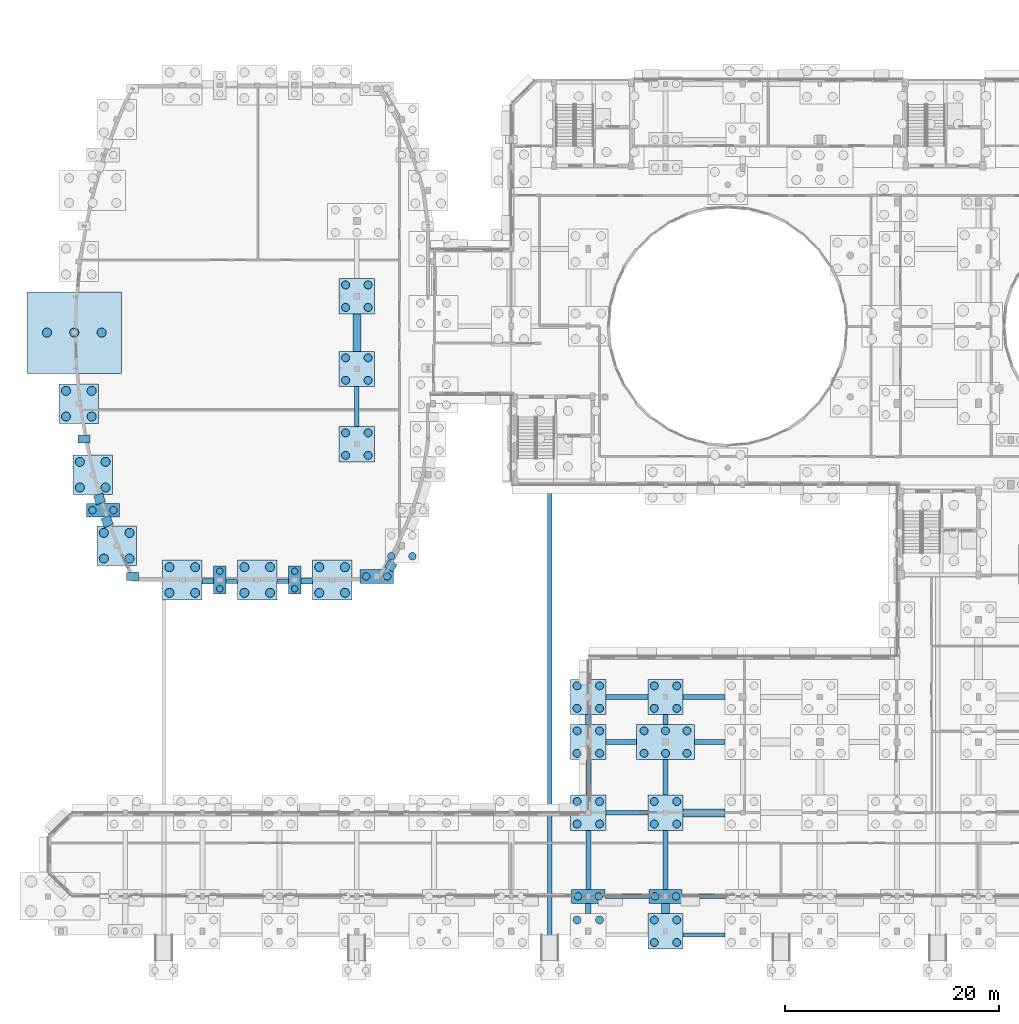
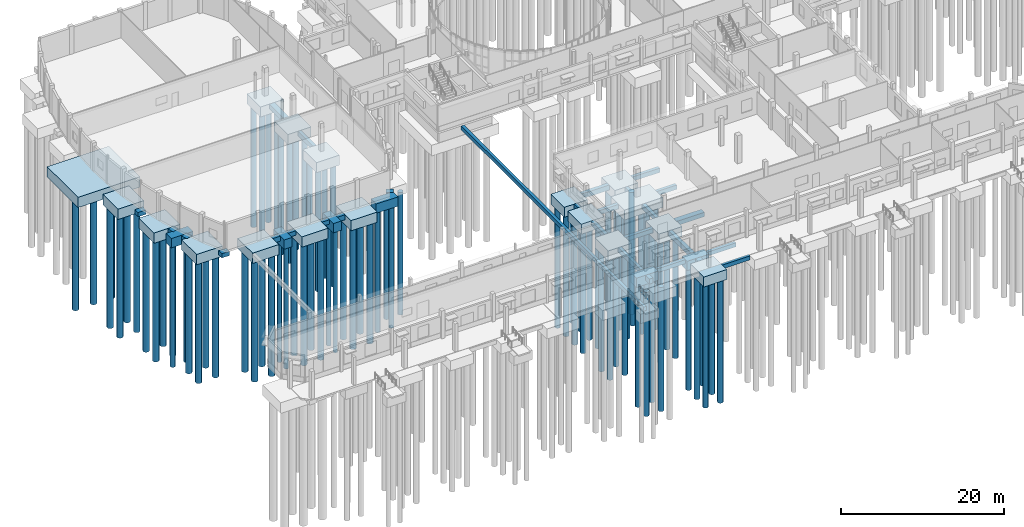
# One storey, part 2 of 93: 85 piles, 52 footings.
"""IFC4 building model written with IfcOpenShell, lengths in metres."""

import ifcopenshell
import ifcopenshell.guid

model = None  # the IFC model being written
_history = None  # IfcOwnerHistory: only IFC2X3 demands one
_inside = {}  # id of a spatial element -> (the spatial element, [elements in it])
_under = {}  # id of a project, library or spatial element -> (it, [spatial elements below it])
_declared = {}  # id of a project -> (the project, [libraries it declares])
_typed = {}  # id of a type object -> (the type object, [elements of that type])
_made_of = {}  # id of a material, layer set ... -> (it, [elements and type objects made of it])


def new_model(schema):
    """Start an empty IFC model of exactly this schema.

    Asked for "IFC4X3", IfcOpenShell would pick the latest addendum, in which some entities
    have other attributes; the version numbers below select the first issue.
    IFC2X3 requires an IfcOwnerHistory on every rooted entity: one is made here for all.
    """
    global model, _history
    if schema == "IFC4X3":
        model = ifcopenshell.file(schema_version=(4, 3, 0, 0))
    else:
        model = ifcopenshell.file(schema=schema)
    _inside.clear()
    _under.clear()
    _declared.clear()
    _typed.clear()
    _made_of.clear()
    _history = None
    if model.schema == "IFC2X3":
        org = make("IfcOrganization", Name="unknown")
        user = make(
            "IfcPersonAndOrganization",
            ThePerson=make("IfcPerson", FamilyName="unknown"),
            TheOrganization=org,
        )
        app = make(
            "IfcApplication",
            ApplicationDeveloper=org,
            Version="unknown",
            ApplicationFullName="unknown",
            ApplicationIdentifier="unknown",
        )
        _history = make(
            "IfcOwnerHistory",
            OwningUser=user,
            OwningApplication=app,
            ChangeAction="ADDED",
            CreationDate=0,
        )
    return model


def make(cls, **values):
    """One entity of the class cls with the attributes given. An attribute that is None is left unset."""
    return model.create_entity(
        cls, **{name: value for name, value in values.items() if value is not None}
    )


def rooted(cls, **values):
    """An entity with a GlobalId (a new one), such as an element, a storey or a relation."""
    return make(cls, GlobalId=ifcopenshell.guid.new(), OwnerHistory=_history, **values)


def si_unit(unit_type, name, prefix=None):
    """IfcSIUnit, for example si_unit("LENGTHUNIT", "METRE", prefix="MILLI")."""
    return make("IfcSIUnit", UnitType=unit_type, Prefix=prefix, Name=name)


def assignment(units):
    """IfcUnitAssignment: the units of a project."""
    return None if units is None else make("IfcUnitAssignment", Units=units)


def point(xyz):
    """IfcCartesianPoint."""
    return None if xyz is None else make("IfcCartesianPoint", Coordinates=xyz)


def direction(xyz):
    """IfcDirection."""
    return None if xyz is None else make("IfcDirection", DirectionRatios=xyz)


def frame(location, z_axis=None, x_axis=None):
    """IfcAxis2Placement3D, a coordinate frame: its origin and axes. An axis left out is left unset."""
    return make(
        "IfcAxis2Placement3D",
        Location=point(location),
        Axis=direction(z_axis),
        RefDirection=direction(x_axis),
    )


def frame_2d(location, x_axis=None):
    """IfcAxis2Placement2D, a coordinate frame in the plane: its origin and x axis."""
    return make(
        "IfcAxis2Placement2D", Location=point(location), RefDirection=direction(x_axis)
    )


def origin():
    """The frame at (0, 0, 0) with its axes left unset."""
    return frame((0.0, 0.0, 0.0))


def origin_2d():
    """The frame at (0, 0) in the plane with its x axis left unset."""
    return frame_2d((0.0, 0.0))


def place(relative_to, where):
    """IfcLocalPlacement: puts the frame where relative to a parent placement (None: the world)."""
    return make(
        "IfcLocalPlacement", PlacementRelTo=relative_to, RelativePlacement=where
    )


def context(
    kind, dimensions, precision=None, world=None, true_north=None, identifier=None
):
    """IfcGeometricRepresentationContext, for example the 3D "Model" context."""
    return make(
        "IfcGeometricRepresentationContext",
        ContextIdentifier=identifier,
        ContextType=kind,
        CoordinateSpaceDimension=dimensions,
        Precision=precision,
        WorldCoordinateSystem=world,
        TrueNorth=true_north,
    )


def subcontext(parent, identifier, kind, view, scale=None):
    """IfcGeometricRepresentationSubContext, for example "Body" below "Model"."""
    return make(
        "IfcGeometricRepresentationSubContext",
        ContextIdentifier=identifier,
        ContextType=kind,
        ParentContext=parent,
        TargetScale=scale,
        TargetView=view,
    )


def project(units=None, contexts=None):
    """IfcProject with its units and contexts."""
    return rooted(
        "IfcProject",
        Name="project",
        RepresentationContexts=contexts,
        UnitsInContext=assignment(units),
    )


def spatial(cls, under=None, at=None, **own):
    """A site, building, storey or space (cls), placed at a placement, below another one or the project."""
    s = rooted(cls, ObjectPlacement=at, **own)
    if under is not None:
        _under.setdefault(under.id(), (under, []))[1].append(s)
    return s


def profile(cls, at=None, kind="AREA", **sizes):
    """A parametric profile (cls). Its sizes go by their IFC names, for example OverallWidth=200.0."""
    return make(cls, ProfileType=kind, Position=at, **sizes)


def rectangle(**sizes):
    """IfcRectangleProfileDef."""
    return profile("IfcRectangleProfileDef", **sizes)


def circle(**sizes):
    """IfcCircleProfileDef."""
    return profile("IfcCircleProfileDef", **sizes)


def extrude(swept, where, along, depth):
    """IfcExtrudedAreaSolid: the profile swept, set in the frame where, extruded along a direction by depth."""
    return make(
        "IfcExtrudedAreaSolid",
        SweptArea=swept,
        Position=where,
        ExtrudedDirection=direction(along),
        Depth=depth,
    )


def shape(context_of_items, identifier, shape_type, items):
    """IfcShapeRepresentation: the items that make up one representation, for example the "Body"."""
    return make(
        "IfcShapeRepresentation",
        ContextOfItems=context_of_items,
        RepresentationIdentifier=identifier,
        RepresentationType=shape_type,
        Items=items,
    )


def material(Name=None, Category=None):
    """IfcMaterial."""
    return make("IfcMaterial", Name=Name, Category=Category)


def material_profile(
    of_material, cross_section, Name=None, Category=None, Priority=None
):
    """IfcMaterialProfile: a cross section and its material."""
    return make(
        "IfcMaterialProfile",
        Name=Name,
        Material=of_material,
        Profile=cross_section,
        Priority=Priority,
        Category=Category,
    )


def profile_set(profiles, Name=None, composite=None):
    """IfcMaterialProfileSet."""
    return make(
        "IfcMaterialProfileSet",
        Name=Name,
        MaterialProfiles=profiles,
        CompositeProfile=composite,
    )


def made_of(thing, what):
    """Note that an element or type object is made of a material, layer set ...; save() writes the relation."""
    if what is not None:
        _made_of.setdefault(what.id(), (what, []))[1].append(thing)
    return thing


def type_object(cls, material=None, **own):
    """A type object (cls), such as IfcWallType, which elements share."""
    return made_of(rooted(cls, **own), material)


def element(
    cls,
    number,
    at=None,
    inside=None,
    cuts=None,
    type_object=None,
    material=None,
    context=None,
    identifier="Body",
    shape_type=None,
    held_by="IfcProductDefinitionShape",
    body=None,
    shapes=None,
    **own,
):
    """One element of the class cls, such as IfcWall. Its Tag is "e" and its number.

    at: its placement. inside: the storey or other place that contains it. cuts: it is an
    opening in that element (IfcRelVoidsElement). A single representation is given by context,
    identifier, shape_type and body (its items); several are given by shapes. held_by: the class
    of the entity that holds the representations. save() writes the other relations.
    """
    e = rooted(cls, Tag="e%d" % number, ObjectPlacement=at, **own)
    if body is not None:
        shapes = [shape(context, identifier, shape_type, body)]
    if shapes is not None:
        e.Representation = make(held_by, Representations=shapes)
    if inside is not None:
        _inside.setdefault(inside.id(), (inside, []))[1].append(e)
    if cuts is not None:
        rooted(
            "IfcRelVoidsElement", RelatingBuildingElement=cuts, RelatedOpeningElement=e
        )
    if type_object is not None:
        _typed.setdefault(type_object.id(), (type_object, []))[1].append(e)
    return made_of(e, material)


def aggregate(whole, parts):
    """IfcRelAggregates: a whole, such as a stair, and the parts it consists of."""
    return rooted("IfcRelAggregates", RelatingObject=whole, RelatedObjects=parts)


def save(model, path):
    """Write the relations noted so far, then the file.

    IfcRelAggregates (storeys below a building ...), IfcRelContainedInSpatialStructure (elements
    in a storey), IfcRelDefinesByType, IfcRelAssociatesMaterial and IfcRelDeclares: one each for
    every whole, place, type object, material and project.
    """
    for whole, parts in _under.values():
        aggregate(whole, parts)
    for where, things in _inside.values():
        rooted(
            "IfcRelContainedInSpatialStructure",
            RelatedElements=things,
            RelatingStructure=where,
        )
    for kind, things in _typed.values():
        rooted("IfcRelDefinesByType", RelatedObjects=things, RelatingType=kind)
    for what, things in _made_of.values():
        rooted("IfcRelAssociatesMaterial", RelatedObjects=things, RelatingMaterial=what)
    for by, libraries in _declared.values():
        rooted("IfcRelDeclares", RelatingContext=by, RelatedDefinitions=libraries)
    model.write(path)


model = new_model("IFC4")

# Units and contexts
model_context = context("Model", 3, precision=1e-05, world=origin(), true_north=direction((0.0, 1.0)))
body_context = subcontext(model_context, "Body", "Model", "MODEL_VIEW")
ifc_project = project(units=[si_unit("LENGTHUNIT", "METRE"), si_unit("AREAUNIT", "SQUARE_METRE"), si_unit("VOLUMEUNIT", "CUBIC_METRE"), si_unit("PLANEANGLEUNIT", "RADIAN"), si_unit("MASSUNIT", "GRAM", prefix="KILO")], contexts=[model_context])

# Site, building, storey
site_placement = place(None, origin())
site = spatial("IfcSite", under=ifc_project, at=site_placement, CompositionType="ELEMENT")
building_placement = place(site_placement, origin())
building = spatial("IfcBuilding", under=site, at=building_placement, Name="Kelanivale Promenade Academy", CompositionType="ELEMENT")
storey_placement = place(building_placement, origin())
storey = spatial("IfcBuildingStorey", under=building, at=storey_placement, Name="L00", CompositionType="ELEMENT", Elevation=0.0)

# Piles
ifc_material = material(Name="Concrete C35/45", Category="concrete")
ifc_material_profile_1 = material_profile(ifc_material, circle(Radius=0.300048828125, at=origin_2d()), Name="BORED PILE D600")
ifc_profile_set_1 = profile_set([ifc_material_profile_1], Name="Concrete C35/45")
pile_type_1 = type_object("IfcPileType", Name="BP-1 BORED PILE D600", PredefinedType="BORED", material=ifc_profile_set_1)
for number, where, z_axis, x_axis, name in (
    (1, (16.012939453125, 32.300048828125, -1.550048828125), (0.0, 0.0, -1.0), (1.0, 0.0, 0.0), "Bored pile FC-019-BP1-P01"),
    (2, (16.012939453125, 33.93994140625, -1.550048828125), (0.0, 0.0, -1.0), (1.0, 0.0, 0.0), "Bored pile FC-019-BP1-P02"),
    (3, (22.9990234375, 32.300048828125, -1.550048828125), (0.0, 0.0, -1.0), (1.0, 0.0, 0.0), "Bored pile FC-026-BP1-P01"),
    (4, (22.9990234375, 33.93994140625, -1.550048828125), (0.0, 0.0, -1.0), (1.0, 0.0, 0.0), "Bored pile FC-026-BP1-P02"),
):
    element("IfcPile", number, at=place(storey_placement, frame(where, z_axis=z_axis, x_axis=x_axis)), inside=storey, type_object=pile_type_1, Name=name, PredefinedType="BORED", context=body_context, shape_type="SweptSolid", body=[
        extrude(circle(Radius=0.300048828125, at=origin_2d()), origin(), (0.0, 0.0, 1.0), 18.449951171875),
    ])
ifc_material_profile_2 = material_profile(ifc_material, circle(Radius=0.35009765625, at=origin_2d()), Name="BORED PILE D700")
ifc_profile_set_2 = profile_set([ifc_material_profile_2], Name="Concrete C35/45")
pile_type_2 = type_object("IfcPileType", Name="BP-2 BORED PILE D700", PredefinedType="BORED", material=ifc_profile_set_2)
for number, where, z_axis, x_axis, name in (
    (5, (4.131103515625, 39.62890625, -1.550048828125), (0.0, 0.0, -1.0), (1.0, 0.0, 0.0), "Bored pile FC-007-BP2-P01"),
    (6, (6.091064453125, 39.62890625, -1.550048828125), (0.0, 0.0, -1.0), (1.0, 0.0, 0.0), "Bored pile FC-007-BP2-P02"),
    (7, (29.669921875, 33.449951171875, -1.550048828125), (0.0, 0.0, -1.0), (1.0, 0.0, 0.0), "Bored pile FC-037-BP2-P01"),
    (8, (31.6298828125, 33.449951171875, -1.550048828125), (0.0, 0.0, -1.0), (1.0, 0.0, 0.0), "Bored pile FC-037-BP2-P02"),
):
    element("IfcPile", number, at=place(storey_placement, frame(where, z_axis=z_axis, x_axis=x_axis)), inside=storey, type_object=pile_type_2, Name=name, PredefinedType="BORED", context=body_context, shape_type="SweptSolid", body=[
        extrude(circle(Radius=0.35009765625, at=origin_2d()), origin(), (0.0, 0.0, 1.0), 18.449951171875),
    ])
for number, where, z_axis, x_axis, name in (
    (9, (32.030029296875, 35.333984375, -1.60009765625), (0.0, 0.0, -1.0), (1.0, 0.0, 0.0), "Bored pile FC-039-BP2-P01"),
    (10, (33.989990234375, 35.333984375, -1.60009765625), (0.0, 0.0, -1.0), (1.0, 0.0, 0.0), "Bored pile FC-039-BP2-P03"),
):
    element("IfcPile", number, at=place(storey_placement, frame(where, z_axis=z_axis, x_axis=x_axis)), inside=storey, type_object=pile_type_2, Name=name, PredefinedType="BORED", context=body_context, shape_type="SweptSolid", body=[
        extrude(circle(Radius=0.35009765625, at=origin_2d()), origin(), (0.0, 0.0, 1.0), 18.39990234375),
    ])
for number, where, z_axis, x_axis, name in (
    (11, (49.419921875, 3.60009765625, -1.5), (0.0, 0.0, -1.0), (1.0, 0.0, 0.0), "Bored pile FC-054-BP2-P01"),
    (12, (51.3798828125, 3.60009765625, -1.5), (0.0, 0.0, -1.0), (1.0, 0.0, 0.0), "Bored pile FC-054-BP2-P02"),
    (13, (56.6201171875, 3.60009765625, -1.5), (0.0, 0.0, -1.0), (1.0, 0.0, 0.0), "Bored pile FC-061-BP2-P01"),
    (14, (58.580078125, 3.60009765625, -1.5), (0.0, 0.0, -1.0), (1.0, 0.0, 0.0), "Bored pile FC-061-BP2-P02"),
):
    element("IfcPile", number, at=place(storey_placement, frame(where, z_axis=z_axis, x_axis=x_axis)), inside=storey, type_object=pile_type_2, Name=name, PredefinedType="BORED", context=body_context, shape_type="SweptSolid", body=[
        extrude(circle(Radius=0.35009765625, at=origin_2d()), origin(), (0.0, 0.0, 1.0), 18.5),
    ])
ifc_material_profile_3 = material_profile(ifc_material, circle(Radius=0.375, at=origin_2d()), Name="BORED PILE D750")
ifc_profile_set_3 = profile_set([ifc_material_profile_3], Name="Concrete C35/45")
pile_type_3 = type_object("IfcPileType", Name="BP-3 BORED PILE D750", PredefinedType="BORED", material=ifc_profile_set_3)
for number, where, z_axis, x_axis, name in (
    (15, (27.75, 44.75, -1.64990234375), (0.0, 0.0, -1.0), (1.0, 0.0, 0.0), "Bored pile FC-033-BP3-P01"),
    (16, (27.75, 46.85009765625, -1.64990234375), (0.0, 0.0, -1.0), (1.0, 0.0, 0.0), "Bored pile FC-033-BP3-P02"),
    (17, (29.85009765625, 44.75, -1.64990234375), (0.0, 0.0, -1.0), (1.0, 0.0, 0.0), "Bored pile FC-033-BP3-P03"),
    (18, (29.85009765625, 46.85009765625, -1.64990234375), (0.0, 0.0, -1.0), (1.0, 0.0, 0.0), "Bored pile FC-033-BP3-P04"),
    (19, (27.75, 51.75, -1.64990234375), (0.0, 0.0, -1.0), (1.0, 0.0, 0.0), "Bored pile FC-034-BP3-P01"),
    (20, (27.75, 53.85009765625, -1.64990234375), (0.0, 0.0, -1.0), (1.0, 0.0, 0.0), "Bored pile FC-034-BP3-P02"),
    (21, (29.85009765625, 51.75, -1.64990234375), (0.0, 0.0, -1.0), (1.0, 0.0, 0.0), "Bored pile FC-034-BP3-P03"),
    (22, (29.85009765625, 53.85009765625, -1.64990234375), (0.0, 0.0, -1.0), (1.0, 0.0, 0.0), "Bored pile FC-034-BP3-P04"),
    (23, (27.75, 58.550048828125, -1.64990234375), (0.0, 0.0, -1.0), (1.0, 0.0, 0.0), "Bored pile FC-035-BP3-P01"),
    (24, (27.75, 60.64990234375, -1.64990234375), (0.0, 0.0, -1.0), (1.0, 0.0, 0.0), "Bored pile FC-035-BP3-P02"),
    (25, (29.85009765625, 58.550048828125, -1.64990234375), (0.0, 0.0, -1.0), (1.0, 0.0, 0.0), "Bored pile FC-035-BP3-P03"),
    (26, (29.85009765625, 60.64990234375, -1.64990234375), (0.0, 0.0, -1.0), (1.0, 0.0, 0.0), "Bored pile FC-035-BP3-P04"),
):
    element("IfcPile", number, at=place(storey_placement, frame(where, z_axis=z_axis, x_axis=x_axis)), inside=storey, type_object=pile_type_3, Name=name, PredefinedType="BORED", context=body_context, shape_type="SweptSolid", body=[
        extrude(circle(Radius=0.375, at=origin_2d()), origin(), (0.0, 0.0, 1.0), 18.35009765625),
    ])
for number, where, z_axis, x_axis, name in (
    (27, (49.35009765625, 1.39990234375, -1.35009765625), (0.0, 0.0, -1.0), (1.0, 0.0, 0.0), "Bored pile FC-053-BP3-P02"),
    (28, (51.449951171875, 1.39990234375, -1.35009765625), (0.0, 0.0, -1.0), (1.0, 0.0, 0.0), "Bored pile FC-053-BP3-P04"),
):
    element("IfcPile", number, at=place(storey_placement, frame(where, z_axis=z_axis, x_axis=x_axis)), inside=storey, type_object=pile_type_3, Name=name, PredefinedType="BORED", context=body_context, shape_type="SweptSolid", body=[
        extrude(circle(Radius=0.375, at=origin_2d()), origin(), (0.0, 0.0, 1.0), 18.64990234375),
    ])
for number, where, z_axis, x_axis, name in (
    (29, (49.35009765625, 10.35009765625, -1.60009765625), (0.0, 0.0, -1.0), (1.0, 0.0, 0.0), "Bored pile FC-055-BP3-P01"),
    (30, (49.35009765625, 12.449951171875, -1.60009765625), (0.0, 0.0, -1.0), (1.0, 0.0, 0.0), "Bored pile FC-055-BP3-P02"),
    (31, (51.449951171875, 10.35009765625, -1.60009765625), (0.0, 0.0, -1.0), (1.0, 0.0, 0.0), "Bored pile FC-055-BP3-P03"),
    (32, (51.449951171875, 12.449951171875, -1.60009765625), (0.0, 0.0, -1.0), (1.0, 0.0, 0.0), "Bored pile FC-055-BP3-P04"),
    (33, (49.35009765625, 16.949951171875, -1.60009765625), (0.0, 0.0, -1.0), (1.0, 0.0, 0.0), "Bored pile FC-056-BP3-P01"),
    (34, (49.35009765625, 19.050048828125, -1.60009765625), (0.0, 0.0, -1.0), (1.0, 0.0, 0.0), "Bored pile FC-056-BP3-P02"),
    (35, (51.449951171875, 16.949951171875, -1.60009765625), (0.0, 0.0, -1.0), (1.0, 0.0, 0.0), "Bored pile FC-056-BP3-P03"),
    (36, (51.449951171875, 19.050048828125, -1.60009765625), (0.0, 0.0, -1.0), (1.0, 0.0, 0.0), "Bored pile FC-056-BP3-P04"),
    (37, (49.35009765625, 21.14990234375, -1.60009765625), (0.0, 0.0, -1.0), (1.0, 0.0, 0.0), "Bored pile FC-057-BP3-P01"),
    (38, (49.35009765625, 23.25, -1.60009765625), (0.0, 0.0, -1.0), (1.0, 0.0, 0.0), "Bored pile FC-057-BP3-P02"),
    (39, (51.449951171875, 21.14990234375, -1.60009765625), (0.0, 0.0, -1.0), (1.0, 0.0, 0.0), "Bored pile FC-057-BP3-P03"),
    (40, (51.449951171875, 23.25, -1.60009765625), (0.0, 0.0, -1.0), (1.0, 0.0, 0.0), "Bored pile FC-057-BP3-P04"),
):
    element("IfcPile", number, at=place(storey_placement, frame(where, z_axis=z_axis, x_axis=x_axis)), inside=storey, type_object=pile_type_3, Name=name, PredefinedType="BORED", context=body_context, shape_type="SweptSolid", body=[
        extrude(circle(Radius=0.375, at=origin_2d()), origin(), (0.0, 0.0, 1.0), 18.39990234375),
    ])
for number, where, z_axis, x_axis, name in (
    (41, (56.550048828125, -0.699951171875, -1.35009765625), (0.0, 0.0, -1.0), (1.0, 0.0, 0.0), "Bored pile FC-060-BP3-P01"),
    (42, (56.550048828125, 1.39990234375, -1.35009765625), (0.0, 0.0, -1.0), (1.0, 0.0, 0.0), "Bored pile FC-060-BP3-P02"),
    (43, (58.64990234375, -0.699951171875, -1.35009765625), (0.0, 0.0, -1.0), (1.0, 0.0, 0.0), "Bored pile FC-060-BP3-P03"),
    (44, (58.64990234375, 1.39990234375, -1.35009765625), (0.0, 0.0, -1.0), (1.0, 0.0, 0.0), "Bored pile FC-060-BP3-P04"),
):
    element("IfcPile", number, at=place(storey_placement, frame(where, z_axis=z_axis, x_axis=x_axis)), inside=storey, type_object=pile_type_3, Name=name, PredefinedType="BORED", context=body_context, shape_type="SweptSolid", body=[
        extrude(circle(Radius=0.375, at=origin_2d()), origin(), (0.0, 0.0, 1.0), 18.64990234375),
    ])
for number, where, z_axis, x_axis, name in (
    (45, (56.550048828125, 10.35009765625, -1.60009765625), (0.0, 0.0, -1.0), (1.0, 0.0, 0.0), "Bored pile FC-062-BP3-P01"),
    (46, (56.550048828125, 12.449951171875, -1.60009765625), (0.0, 0.0, -1.0), (1.0, 0.0, 0.0), "Bored pile FC-062-BP3-P02"),
    (47, (58.64990234375, 10.35009765625, -1.60009765625), (0.0, 0.0, -1.0), (1.0, 0.0, 0.0), "Bored pile FC-062-BP3-P03"),
    (48, (58.64990234375, 12.449951171875, -1.60009765625), (0.0, 0.0, -1.0), (1.0, 0.0, 0.0), "Bored pile FC-062-BP3-P04"),
    (49, (55.60009765625, 16.949951171875, -1.60009765625), (0.0, 0.0, -1.0), (1.0, 0.0, 0.0), "Bored pile FC-063-BP3-P01"),
    (50, (57.60009765625, 16.949951171875, -1.60009765625), (0.0, 0.0, -1.0), (1.0, 0.0, 0.0), "Bored pile FC-063-BP3-P02"),
    (51, (59.60009765625, 16.949951171875, -1.60009765625), (0.0, 0.0, -1.0), (1.0, 0.0, 0.0), "Bored pile FC-063-BP3-P03"),
    (52, (55.60009765625, 19.050048828125, -1.60009765625), (0.0, 0.0, -1.0), (1.0, 0.0, 0.0), "Bored pile FC-063-BP3-P04"),
    (53, (57.60009765625, 19.050048828125, -1.60009765625), (0.0, 0.0, -1.0), (1.0, 0.0, 0.0), "Bored pile FC-063-BP3-P05"),
    (54, (59.60009765625, 19.050048828125, -1.60009765625), (0.0, 0.0, -1.0), (1.0, 0.0, 0.0), "Bored pile FC-063-BP3-P06"),
    (55, (56.550048828125, 21.14990234375, -1.60009765625), (0.0, 0.0, -1.0), (1.0, 0.0, 0.0), "Bored pile FC-064-BP3-P01"),
    (56, (56.550048828125, 23.25, -1.60009765625), (0.0, 0.0, -1.0), (1.0, 0.0, 0.0), "Bored pile FC-064-BP3-P02"),
    (57, (58.64990234375, 21.14990234375, -1.60009765625), (0.0, 0.0, -1.0), (1.0, 0.0, 0.0), "Bored pile FC-064-BP3-P03"),
    (58, (58.64990234375, 23.25, -1.60009765625), (0.0, 0.0, -1.0), (1.0, 0.0, 0.0), "Bored pile FC-064-BP3-P04"),
):
    element("IfcPile", number, at=place(storey_placement, frame(where, z_axis=z_axis, x_axis=x_axis)), inside=storey, type_object=pile_type_3, Name=name, PredefinedType="BORED", context=body_context, shape_type="SweptSolid", body=[
        extrude(circle(Radius=0.375, at=origin_2d()), origin(), (0.0, 0.0, 1.0), 18.39990234375),
    ])
ifc_material_profile_4 = material_profile(ifc_material, circle(Radius=0.425048828125, at=origin_2d()), Name="BORED PILE D850")
ifc_profile_set_4 = profile_set([ifc_material_profile_4], Name="Concrete C35/45")
pile_type_4 = type_object("IfcPileType", Name="BP-4 BORED PILE D850", PredefinedType="BORED", material=ifc_profile_set_4)
for number, where, z_axis, x_axis, name in (
    (59, (-0.110107421875, 56.199951171875, -1.699951171875), (0.0, 0.0, -1.0), (1.0, 0.0, 0.0), "Bored pile FC-002-BP4-P01"),
    (60, (2.43994140625, 56.199951171875, -1.699951171875), (0.0, 0.0, -1.0), (1.0, 0.0, 0.0), "Bored pile FC-002-BP4-P02"),
    (61, (4.989990234375, 56.199951171875, -1.699951171875), (0.0, 0.0, -1.0), (1.0, 0.0, 0.0), "Bored pile FC-002-BP4-P03"),
    (62, (1.6640625, 48.37109375, -1.699951171875), (0.0, 0.0, -1.0), (1.0, 0.0, 0.0), "Bored pile FC-003-BP4-P01"),
    (63, (1.6640625, 50.77099609375, -1.699951171875), (0.0, 0.0, -1.0), (1.0, 0.0, 0.0), "Bored pile FC-003-BP4-P02"),
    (64, (4.06396484375, 48.37109375, -1.699951171875), (0.0, 0.0, -1.0), (1.0, 0.0, 0.0), "Bored pile FC-003-BP4-P03"),
    (65, (4.06396484375, 50.77099609375, -1.699951171875), (0.0, 0.0, -1.0), (1.0, 0.0, 0.0), "Bored pile FC-003-BP4-P04"),
    (66, (2.9580078125, 41.742919921875, -1.699951171875), (0.0, 0.0, -1.0), (1.0, 0.0, 0.0), "Bored pile FC-005-BP4-P01"),
    (67, (2.9580078125, 44.14306640625, -1.699951171875), (0.0, 0.0, -1.0), (1.0, 0.0, 0.0), "Bored pile FC-005-BP4-P02"),
    (68, (5.35791015625, 41.742919921875, -1.699951171875), (0.0, 0.0, -1.0), (1.0, 0.0, 0.0), "Bored pile FC-005-BP4-P03"),
    (69, (5.35791015625, 44.14306640625, -1.699951171875), (0.0, 0.0, -1.0), (1.0, 0.0, 0.0), "Bored pile FC-005-BP4-P04"),
    (70, (5.193115234375, 35.114013671875, -1.699951171875), (0.0, 0.0, -1.0), (1.0, 0.0, 0.0), "Bored pile FC-009-BP4-P01"),
    (71, (5.193115234375, 37.513916015625, -1.699951171875), (0.0, 0.0, -1.0), (1.0, 0.0, 0.0), "Bored pile FC-009-BP4-P02"),
    (72, (7.593017578125, 35.114013671875, -1.699951171875), (0.0, 0.0, -1.0), (1.0, 0.0, 0.0), "Bored pile FC-009-BP4-P03"),
    (73, (7.593017578125, 37.513916015625, -1.699951171875), (0.0, 0.0, -1.0), (1.0, 0.0, 0.0), "Bored pile FC-009-BP4-P04"),
    (74, (11.320068359375, 31.919921875, -1.699951171875), (0.0, 0.0, -1.0), (1.0, 0.0, 0.0), "Bored pile FC-014-BP4-P01"),
    (75, (11.320068359375, 34.320068359375, -1.699951171875), (0.0, 0.0, -1.0), (1.0, 0.0, 0.0), "Bored pile FC-014-BP4-P02"),
    (76, (13.719970703125, 31.919921875, -1.699951171875), (0.0, 0.0, -1.0), (1.0, 0.0, 0.0), "Bored pile FC-014-BP4-P03"),
    (77, (13.719970703125, 34.320068359375, -1.699951171875), (0.0, 0.0, -1.0), (1.0, 0.0, 0.0), "Bored pile FC-014-BP4-P04"),
    (78, (18.305908203125, 31.919921875, -1.699951171875), (0.0, 0.0, -1.0), (1.0, 0.0, 0.0), "Bored pile FC-021-BP4-P01"),
    (79, (18.305908203125, 34.320068359375, -1.699951171875), (0.0, 0.0, -1.0), (1.0, 0.0, 0.0), "Bored pile FC-021-BP4-P02"),
    (80, (20.7060546875, 31.919921875, -1.699951171875), (0.0, 0.0, -1.0), (1.0, 0.0, 0.0), "Bored pile FC-021-BP4-P03"),
    (81, (20.7060546875, 34.320068359375, -1.699951171875), (0.0, 0.0, -1.0), (1.0, 0.0, 0.0), "Bored pile FC-021-BP4-P04"),
    (82, (25.2919921875, 31.919921875, -1.699951171875), (0.0, 0.0, -1.0), (1.0, 0.0, 0.0), "Bored pile FC-028-BP4-P01"),
    (83, (25.2919921875, 34.320068359375, -1.699951171875), (0.0, 0.0, -1.0), (1.0, 0.0, 0.0), "Bored pile FC-028-BP4-P02"),
    (84, (27.69189453125, 31.919921875, -1.699951171875), (0.0, 0.0, -1.0), (1.0, 0.0, 0.0), "Bored pile FC-028-BP4-P03"),
    (85, (27.69189453125, 34.320068359375, -1.699951171875), (0.0, 0.0, -1.0), (1.0, 0.0, 0.0), "Bored pile FC-028-BP4-P04"),
):
    element("IfcPile", number, at=place(storey_placement, frame(where, z_axis=z_axis, x_axis=x_axis)), inside=storey, type_object=pile_type_4, Name=name, PredefinedType="BORED", context=body_context, shape_type="SweptSolid", body=[
        extrude(circle(Radius=0.425048828125, at=origin_2d()), origin(), (0.0, 0.0, 1.0), 18.300048828125),
    ])

# Footings
footing_type_1 = type_object("IfcFootingType", Name="GB-01 450x650", PredefinedType="FOOTING_BEAM", material=ifc_material)
footing_1_placement = place(storey_placement, frame((54.0, 11.39990234375, -0.89990234375), z_axis=(0.0, 0.0, 1.0), x_axis=(1.0, 0.0, 0.0)))
element("IfcFooting", 86, at=footing_1_placement, inside=storey, type_object=footing_type_1, Name="Ground beam GB-055", PredefinedType="FOOTING_BEAM", context=body_context, shape_type="SweptSolid", body=[
    extrude(rectangle(XDim=3.909912109375, YDim=0.449951171875, at=origin_2d()), origin(), (0.0, 0.0, 1.0), 0.64990234375),
])
for number, where, z_axis, x_axis, name in (
    (87, (53.4619140625, 18.0, -0.89990234375), (0.0, 0.0, 1.0), (1.0, 0.0, 0.0), "Ground beam GB-061"),
    (88, (61.737060546875, 18.0, -0.89990234375), (0.0, 0.0, 1.0), (1.0, 0.0, 0.0), "Ground beam GB-062"),
):
    element("IfcFooting", number, at=place(storey_placement, frame(where, z_axis=z_axis, x_axis=x_axis)), inside=storey, type_object=footing_type_1, Name=name, PredefinedType="FOOTING_BEAM", context=body_context, shape_type="SweptSolid", body=[
        extrude(rectangle(XDim=2.8349609375, YDim=0.449951171875, at=origin_2d()), origin(), (0.0, 0.0, 1.0), 0.64990234375),
    ])
footing_2_placement = place(storey_placement, frame((61.199951171875, 22.199951171875, -0.89990234375), z_axis=(0.0, 0.0, 1.0), x_axis=(1.0, 0.0, 0.0)))
element("IfcFooting", 89, at=footing_2_placement, inside=storey, type_object=footing_type_1, Name="Ground beam GB-067", PredefinedType="FOOTING_BEAM", context=body_context, shape_type="SweptSolid", body=[
    extrude(rectangle(XDim=3.909912109375, YDim=0.449951171875, at=origin_2d()), origin(), (0.0, 0.0, 1.0), 0.64990234375),
])
for number, where, z_axis, x_axis, name in (
    (90, (17.1220703125, 33.0, -0.949951171875), (0.0, 0.0, 1.0), (1.0, 0.0, 0.0), "Ground beam GB-073"),
    (91, (21.889892578125, 33.0, -0.949951171875), (0.0, 0.0, 1.0), (1.0, 0.0, 0.0), "Ground beam GB-074"),
):
    element("IfcFooting", number, at=place(storey_placement, frame(where, z_axis=z_axis, x_axis=x_axis)), inside=storey, type_object=footing_type_1, Name=name, PredefinedType="FOOTING_BEAM", context=body_context, shape_type="SweptSolid", body=[
        extrude(rectangle(XDim=1.077880859375, YDim=0.449951171875, at=origin_2d()), origin(), (0.0, 0.0, 1.0), 0.64990234375),
    ])
footing_3_placement = place(storey_placement, frame((28.800048828125, 49.300048828125, -0.949951171875), z_axis=(0.0, 0.0, 1.0), x_axis=(0.0, 1.0, 0.0)))
element("IfcFooting", 92, at=footing_3_placement, inside=storey, type_object=footing_type_1, Name="Ground beam GB-125", PredefinedType="FOOTING_BEAM", context=body_context, shape_type="SweptSolid", body=[
    extrude(rectangle(XDim=3.7099609375, YDim=0.449951171875, at=origin_2d()), origin(), (0.0, 0.0, 1.0), 0.64990234375),
])
footing_4_placement = place(storey_placement, frame((50.39990234375, 7.0, -0.89990234375), z_axis=(0.0, 0.0, 1.0), x_axis=(0.0, 1.0, 0.0)))
element("IfcFooting", 93, at=footing_4_placement, inside=storey, type_object=footing_type_1, Name="Ground beam GB-136", PredefinedType="FOOTING_BEAM", context=body_context, shape_type="SweptSolid", body=[
    extrude(rectangle(XDim=5.510009765625, YDim=0.449951171875, at=origin_2d()), origin(), (0.0, 0.0, 1.0), 0.64990234375),
])
for number, where, z_axis, x_axis, name in (
    (94, (50.39990234375, 14.699951171875, -0.89990234375), (0.0, 0.0, 1.0), (0.0, 1.0, 0.0), "Ground beam GB-137"),
    (95, (57.60009765625, 14.699951171875, -0.89990234375), (0.0, 0.0, 1.0), (0.0, 1.0, 0.0), "Ground beam GB-142"),
):
    element("IfcFooting", number, at=place(storey_placement, frame(where, z_axis=z_axis, x_axis=x_axis)), inside=storey, type_object=footing_type_1, Name=name, PredefinedType="FOOTING_BEAM", context=body_context, shape_type="SweptSolid", body=[
        extrude(rectangle(XDim=3.31005859375, YDim=0.449951171875, at=origin_2d()), origin(), (0.0, 0.0, 1.0), 0.64990234375),
    ])
footing_5_placement = place(storey_placement, frame((57.60009765625, 20.10009765625, -0.89990234375), z_axis=(0.0, 0.0, 1.0), x_axis=(0.0, 1.0, 0.0)))
element("IfcFooting", 96, at=footing_5_placement, inside=storey, type_object=footing_type_1, Name="Ground beam GB-143", PredefinedType="FOOTING_BEAM", context=body_context, shape_type="SweptSolid", body=[
    extrude(rectangle(XDim=0.909912109375, YDim=0.449951171875, at=origin_2d()), origin(), (0.0, 0.0, 1.0), 0.64990234375),
])
footing_type_2 = type_object("IfcFootingType", Name="GB-02 500x750", PredefinedType="FOOTING_BEAM", material=ifc_material)
footing_6_placement = place(storey_placement, frame((54.0, 22.199951171875, -1.0), z_axis=(0.0, 0.0, 1.0), x_axis=(1.0, 0.0, 0.0)))
element("IfcFooting", 97, at=footing_6_placement, inside=storey, type_object=footing_type_2, Name="Ground beam GB-066", PredefinedType="FOOTING_BEAM", context=body_context, shape_type="SweptSolid", body=[
    extrude(rectangle(XDim=3.909912109375, YDim=0.5, at=origin_2d()), origin(), (0.0, 0.0, 1.0), 0.75),
])
for number, where, z_axis, x_axis, name in (
    (98, (14.904052734375, 33.0, -1.050048828125), (0.0, 0.0, 1.0), (1.0, 0.0, 0.0), "Ground beam GB-072"),
    (99, (24.10791015625, 33.0, -1.050048828125), (0.0, 0.0, 1.0), (1.0, 0.0, 0.0), "Ground beam GB-075"),
):
    element("IfcFooting", number, at=place(storey_placement, frame(where, z_axis=z_axis, x_axis=x_axis)), inside=storey, type_object=footing_type_2, Name=name, PredefinedType="FOOTING_BEAM", context=body_context, shape_type="SweptSolid", body=[
        extrude(rectangle(XDim=1.077880859375, YDim=0.5, at=origin_2d()), origin(), (0.0, 0.0, 1.0), 0.75),
    ])
footing_7_placement = place(storey_placement, frame((50.39990234375, 2.47509765625, -1.0), z_axis=(0.0, 0.0, 1.0), x_axis=(0.0, 1.0, 0.0)))
element("IfcFooting", 100, at=footing_7_placement, inside=storey, type_object=footing_type_2, Name="Ground beam GB-135", PredefinedType="FOOTING_BEAM", context=body_context, shape_type="SweptSolid", body=[
    extrude(rectangle(XDim=0.9599609375, YDim=0.5, at=origin_2d()), origin(), (0.0, 0.0, 1.0), 0.75),
])
footing_8_placement = place(storey_placement, frame((50.39990234375, 20.10009765625, -1.0), z_axis=(0.0, 0.0, 1.0), x_axis=(0.0, 1.0, 0.0)))
element("IfcFooting", 101, at=footing_8_placement, inside=storey, type_object=footing_type_2, Name="Ground beam GB-138", PredefinedType="FOOTING_BEAM", context=body_context, shape_type="SweptSolid", body=[
    extrude(rectangle(XDim=0.909912109375, YDim=0.5, at=origin_2d()), origin(), (0.0, 0.0, 1.0), 0.75),
])
footing_9_placement = place(storey_placement, frame((57.60009765625, 7.0, -1.0), z_axis=(0.0, 0.0, 1.0), x_axis=(0.0, 1.0, 0.0)))
element("IfcFooting", 102, at=footing_9_placement, inside=storey, type_object=footing_type_2, Name="Ground beam GB-141", PredefinedType="FOOTING_BEAM", context=body_context, shape_type="SweptSolid", body=[
    extrude(rectangle(XDim=5.510009765625, YDim=0.5, at=origin_2d()), origin(), (0.0, 0.0, 1.0), 0.75),
])
footing_type_3 = type_object("IfcFootingType", Name="GB-03 400x600", PredefinedType="FOOTING_BEAM", material=ifc_material)
footing_10_placement = place(storey_placement, frame((46.800048828125, 19.737060546875, -0.97509765625), z_axis=(0.0, 0.0, 1.0), x_axis=(0.0, 1.0, 0.0)))
element("IfcFooting", 103, at=footing_10_placement, inside=storey, type_object=footing_type_3, Name="Ramp approach tie beam GB-025", PredefinedType="FOOTING_BEAM", context=body_context, shape_type="SweptSolid", body=[
    extrude(rectangle(XDim=44.925048828125, YDim=0.39990234375, at=origin_2d()), origin(), (0.0, 0.0, 1.0), 0.60009765625),
])
footing_11_placement = place(storey_placement, frame((61.199951171875, 0.0, -0.60009765625), z_axis=(0.0, 0.0, 1.0), x_axis=(1.0, 0.0, 0.0)))
element("IfcFooting", 104, at=footing_11_placement, inside=storey, type_object=footing_type_3, Name="Ground beam GB-033", PredefinedType="FOOTING_BEAM", context=body_context, shape_type="SweptSolid", body=[
    extrude(rectangle(XDim=3.909912109375, YDim=0.39990234375, at=origin_2d()), origin(), (0.0, 0.0, 1.0), 0.60009765625),
])
for number, where, z_axis, x_axis, name in (
    (105, (54.0, 3.60009765625, -0.85009765625), (0.0, 0.0, 1.0), (1.0, 0.0, 0.0), "Ground beam GB-044"),
    (106, (61.199951171875, 3.60009765625, -0.85009765625), (0.0, 0.0, 1.0), (1.0, 0.0, 0.0), "Ground beam GB-045"),
):
    element("IfcFooting", number, at=place(storey_placement, frame(where, z_axis=z_axis, x_axis=x_axis)), inside=storey, type_object=footing_type_3, Name=name, PredefinedType="FOOTING_BEAM", context=body_context, shape_type="SweptSolid", body=[
        extrude(rectangle(XDim=4.110107421875, YDim=0.39990234375, at=origin_2d()), origin(), (0.0, 0.0, 1.0), 0.60009765625),
    ])
footing_type_4 = type_object("IfcFootingType", Name="PC-01 Pile Cap 2650x1150x1400", PredefinedType="PILE_CAP", material=ifc_material)
for number, where, z_axis, x_axis, name in (
    (107, (16.012939453125, 33.1201171875, -1.699951171875), (0.0, 0.0, 1.0), (0.0, 1.0, 0.0), "Pile cap FC-019"),
    (108, (22.9990234375, 33.1201171875, -1.699951171875), (0.0, 0.0, 1.0), (0.0, 1.0, 0.0), "Pile cap FC-026"),
):
    element("IfcFooting", number, at=place(storey_placement, frame(where, z_axis=z_axis, x_axis=x_axis)), inside=storey, type_object=footing_type_4, Name=name, PredefinedType="PILE_CAP", context=body_context, shape_type="SweptSolid", body=[
        extrude(rectangle(XDim=2.64990234375, YDim=1.14990234375, at=origin_2d()), origin(), (0.0, 0.0, 1.0), 1.39990234375),
    ])
footing_type_5 = type_object("IfcFootingType", Name="PC-03 Pile Cap 3100x1300x1400", PredefinedType="PILE_CAP", material=ifc_material)
for number, where, z_axis, x_axis, name in (
    (109, (5.111083984375, 39.62890625, -1.699951171875), (0.0, 0.0, 1.0), (1.0, 0.0, 0.0), "Pile cap FC-007"),
    (110, (30.64990234375, 33.449951171875, -1.699951171875), (0.0, 0.0, 1.0), (1.0, 0.0, 0.0), "Pile cap FC-037"),
    (111, (50.39990234375, 3.60009765625, -1.64990234375), (0.0, 0.0, 1.0), (1.0, 0.0, 0.0), "Pile cap FC-054"),
    (112, (57.60009765625, 3.60009765625, -1.64990234375), (0.0, 0.0, 1.0), (1.0, 0.0, 0.0), "Pile cap FC-061"),
):
    element("IfcFooting", number, at=place(storey_placement, frame(where, z_axis=z_axis, x_axis=x_axis)), inside=storey, type_object=footing_type_5, Name=name, PredefinedType="PILE_CAP", context=body_context, shape_type="SweptSolid", body=[
        extrude(rectangle(XDim=3.10009765625, YDim=1.300048828125, at=origin_2d()), origin(), (0.0, 0.0, 1.0), 1.39990234375),
    ])
footing_type_6 = type_object("IfcFootingType", Name="PC-05 Pile Cap 3300x3300x1500", PredefinedType="PILE_CAP", material=ifc_material)
for number, where, z_axis, x_axis, name in (
    (113, (28.800048828125, 45.800048828125, -1.800048828125), (0.0, 0.0, 1.0), (1.0, 0.0, 0.0), "Pile cap FC-033"),
    (114, (28.800048828125, 52.800048828125, -1.800048828125), (0.0, 0.0, 1.0), (1.0, 0.0, 0.0), "Pile cap FC-034"),
    (115, (28.800048828125, 59.60009765625, -1.800048828125), (0.0, 0.0, 1.0), (1.0, 0.0, 0.0), "Pile cap FC-035"),
    (116, (50.39990234375, 11.39990234375, -1.75), (0.0, 0.0, 1.0), (1.0, 0.0, 0.0), "Pile cap FC-055"),
    (117, (50.39990234375, 18.0, -1.75), (0.0, 0.0, 1.0), (1.0, 0.0, 0.0), "Pile cap FC-056"),
    (118, (50.39990234375, 22.199951171875, -1.75), (0.0, 0.0, 1.0), (1.0, 0.0, 0.0), "Pile cap FC-057"),
    (119, (57.60009765625, 0.35009765625, -1.5), (0.0, 0.0, 1.0), (1.0, 0.0, 0.0), "Pile cap FC-060"),
    (120, (57.60009765625, 11.39990234375, -1.75), (0.0, 0.0, 1.0), (1.0, 0.0, 0.0), "Pile cap FC-062"),
    (121, (57.60009765625, 22.199951171875, -1.75), (0.0, 0.0, 1.0), (1.0, 0.0, 0.0), "Pile cap FC-064"),
):
    element("IfcFooting", number, at=place(storey_placement, frame(where, z_axis=z_axis, x_axis=x_axis)), inside=storey, type_object=footing_type_6, Name=name, PredefinedType="PILE_CAP", context=body_context, shape_type="SweptSolid", body=[
        extrude(rectangle(XDim=3.300048828125, YDim=3.300048828125, at=origin_2d()), origin(), (0.0, 0.0, 1.0), 1.5),
    ])
footing_type_7 = type_object("IfcFootingType", Name="PC-06 Pile Cap 5450x3300x1500", PredefinedType="PILE_CAP", material=ifc_material)
footing_12_placement = place(storey_placement, frame((57.60009765625, 18.0, -1.75), z_axis=(0.0, 0.0, 1.0), x_axis=(1.0, 0.0, 0.0)))
element("IfcFooting", 122, at=footing_12_placement, inside=storey, type_object=footing_type_7, Name="Pile cap FC-063", PredefinedType="PILE_CAP", context=body_context, shape_type="SweptSolid", body=[
    extrude(rectangle(XDim=5.449951171875, YDim=3.300048828125, at=origin_2d()), origin(), (0.0, 0.0, 1.0), 1.5),
])
footing_type_8 = type_object("IfcFootingType", Name="PC-07 Pile Cap 3700x3700x1550", PredefinedType="PILE_CAP", material=ifc_material)
for number, where, z_axis, x_axis, name in (
    (123, (2.864013671875, 49.571044921875, -1.85009765625), (0.0, 0.0, 1.0), (1.0, 0.0, 0.0), "Pile cap FC-003"),
    (124, (4.157958984375, 42.943115234375, -1.85009765625), (0.0, 0.0, 1.0), (1.0, 0.0, 0.0), "Pile cap FC-005"),
    (125, (6.39306640625, 36.31396484375, -1.85009765625), (0.0, 0.0, 1.0), (1.0, 0.0, 0.0), "Pile cap FC-009"),
    (126, (12.52001953125, 33.1201171875, -1.85009765625), (0.0, 0.0, 1.0), (1.0, 0.0, 0.0), "Pile cap FC-014"),
    (127, (19.506103515625, 33.1201171875, -1.85009765625), (0.0, 0.0, 1.0), (1.0, 0.0, 0.0), "Pile cap FC-021"),
    (128, (26.491943359375, 33.1201171875, -1.85009765625), (0.0, 0.0, 1.0), (1.0, 0.0, 0.0), "Pile cap FC-028"),
):
    element("IfcFooting", number, at=place(storey_placement, frame(where, z_axis=z_axis, x_axis=x_axis)), inside=storey, type_object=footing_type_8, Name=name, PredefinedType="PILE_CAP", context=body_context, shape_type="SweptSolid", body=[
        extrude(rectangle(XDim=3.699951171875, YDim=3.699951171875, at=origin_2d()), origin(), (0.0, 0.0, 1.0), 1.550048828125),
    ])
footing_type_9 = type_object("IfcFootingType", Name="PC-C2 Pile Cap 8800x7600x1550", PredefinedType="PILE_CAP", material=ifc_material)
footing_13_placement = place(storey_placement, frame((2.43994140625, 56.199951171875, -1.85009765625), z_axis=(0.0, 0.0, 1.0), x_axis=(1.0, 0.0, 0.0)))
element("IfcFooting", 129, at=footing_13_placement, inside=storey, type_object=footing_type_9, Name="Pile cap FC-002", PredefinedType="PILE_CAP", context=body_context, shape_type="SweptSolid", body=[
    extrude(rectangle(XDim=8.800048828125, YDim=7.60009765625, at=origin_2d()), origin(), (0.0, 0.0, 1.0), 1.550048828125),
])
footing_type_10 = type_object("IfcFootingType", Name="SF-01 750x650", PredefinedType="STRIP_FOOTING", material=ifc_material)
for number, where, z_axis, x_axis, name in (
    (130, (3.35888671875, 46.257080078125, -0.949951171875), (0.0, 0.0, 1.0), (1.0, 0.0, 0.0), "Column pad footing FPAD-002"),
    (131, (7.862060546875, 33.449951171875, -0.949951171875), (0.0, 0.0, 1.0), (1.0, 0.0, 0.0), "Column pad footing FPAD-004"),
):
    element("IfcFooting", number, at=place(storey_placement, frame(where, z_axis=z_axis, x_axis=x_axis)), inside=storey, type_object=footing_type_10, Name=name, PredefinedType="STRIP_FOOTING", context=body_context, shape_type="SweptSolid", body=[
        extrude(rectangle(XDim=1.10009765625, YDim=0.75, at=origin_2d()), origin(), (0.0, 0.0, 1.0), 0.64990234375),
    ])
footing_14_placement = place(storey_placement, frame((61.199951171875, 11.39990234375, -0.89990234375), z_axis=(0.0, 0.0, 1.0), x_axis=(1.0, 0.0, 0.0)))
element("IfcFooting", 132, at=footing_14_placement, inside=storey, type_object=footing_type_10, Name="Ground beam GB-056", PredefinedType="STRIP_FOOTING", context=body_context, shape_type="SweptSolid", body=[
    extrude(rectangle(XDim=3.909912109375, YDim=0.75, at=origin_2d()), origin(), (0.0, 0.0, 1.0), 0.64990234375),
])
footing_15_placement = place(storey_placement, frame((28.800048828125, 56.199951171875, -0.949951171875), z_axis=(0.0, 0.0, 1.0), x_axis=(0.0, 1.0, 0.0)))
element("IfcFooting", 133, at=footing_15_placement, inside=storey, type_object=footing_type_10, Name="Ground beam GB-126", PredefinedType="STRIP_FOOTING", context=body_context, shape_type="SweptSolid", body=[
    extrude(rectangle(XDim=3.510009765625, YDim=0.75, at=origin_2d()), origin(), (0.0, 0.0, 1.0), 0.64990234375),
])
footing_16_placement = place(storey_placement, frame((57.60009765625, 2.47509765625, -0.89990234375), z_axis=(0.0, 0.0, 1.0), x_axis=(0.0, 1.0, 0.0)))
element("IfcFooting", 134, at=footing_16_placement, inside=storey, type_object=footing_type_10, Name="Ground beam GB-140", PredefinedType="STRIP_FOOTING", context=body_context, shape_type="SweptSolid", body=[
    extrude(rectangle(XDim=0.9599609375, YDim=0.75, at=origin_2d()), origin(), (0.0, 0.0, 1.0), 0.64990234375),
])
footing_type_11 = type_object("IfcFootingType", Name="SF-02 900x700", PredefinedType="STRIP_FOOTING", material=ifc_material)
footing_17_placement = place(storey_placement, frame((5.507080078125, 38.571044921875, -1.0), z_axis=(0.0, 0.0, 1.0), x_axis=(-0.350844872616, 0.936433593673, 0.0)))
element("IfcFooting", 135, at=footing_17_placement, inside=storey, type_object=footing_type_11, Name="Curved ring foundation beam GB-001", PredefinedType="STRIP_FOOTING", context=body_context, shape_type="SweptSolid", body=[
    extrude(rectangle(XDim=0.89990234375, YDim=0.89990234375, at=origin_2d()), origin(), (0.0, 0.0, 1.0), 0.699951171875),
])
footing_18_placement = place(storey_placement, frame((4.7939453125, 40.68603515625, -1.0), z_axis=(0.0, 0.0, 1.0), x_axis=(-0.287026159226, 0.957922744234, 0.0)))
element("IfcFooting", 136, at=footing_18_placement, inside=storey, type_object=footing_type_11, Name="Curved ring foundation beam GB-002", PredefinedType="STRIP_FOOTING", context=body_context, shape_type="SweptSolid", body=[
    extrude(rectangle(XDim=0.8798828125, YDim=0.89990234375, at=origin_2d()), origin(), (0.0, 0.0, 1.0), 0.699951171875),
])
footing_19_placement = place(storey_placement, frame((31.970947265625, 34.431884765625, -1.0), z_axis=(0.0, 0.0, 1.0), x_axis=(0.497382830668, 0.867531163565, 0.0)))
element("IfcFooting", 137, at=footing_19_placement, inside=storey, type_object=footing_type_11, Name="Curved ring foundation beam GB-005", PredefinedType="STRIP_FOOTING", context=body_context, shape_type="SweptSolid", body=[
    extrude(rectangle(XDim=0.794921875, YDim=0.89990234375, at=origin_2d()), origin(), (0.0, 0.0, 1.0), 0.699951171875),
])

save(model, "model.ifc")
